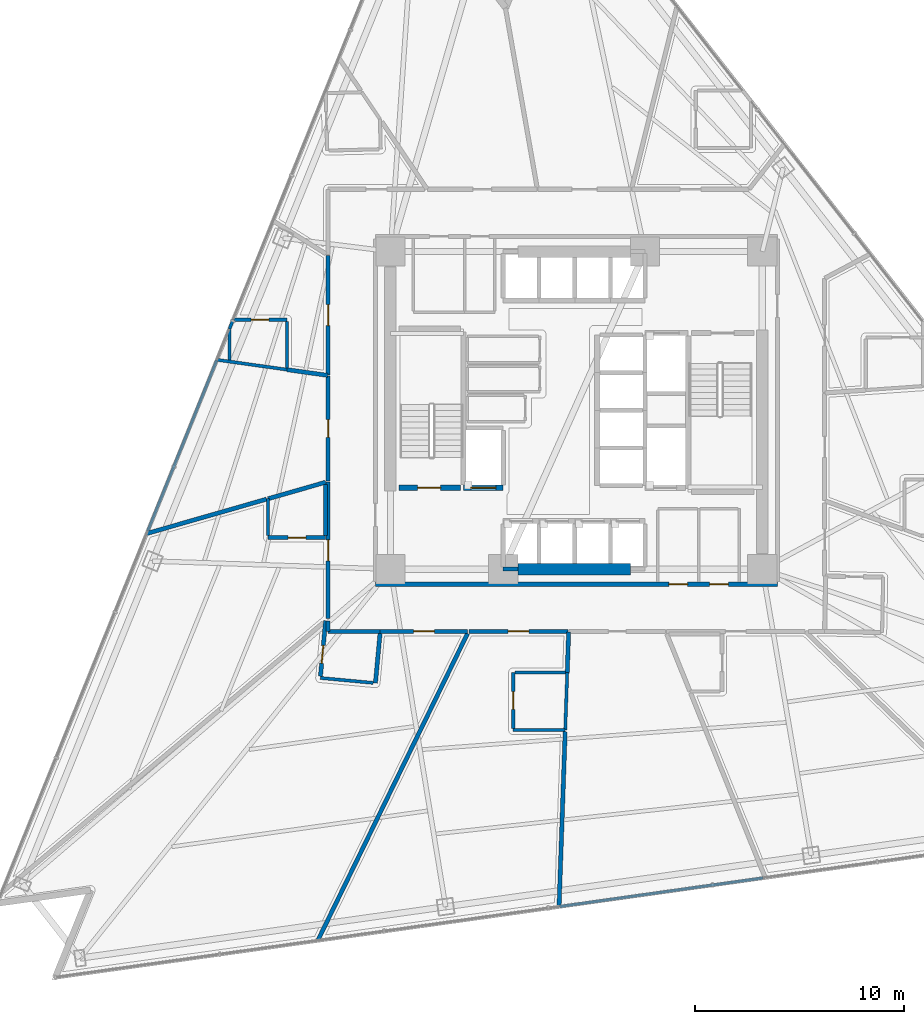
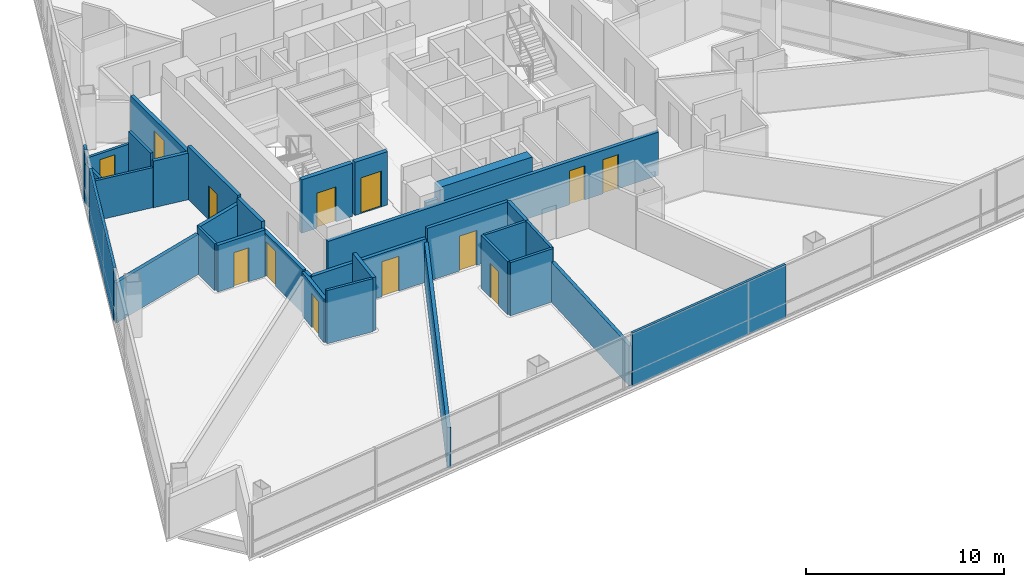
# One storey, part 7 of 16: 35 walls, 13 doors, 13 openings.
"""IFC4 building model written with IfcOpenShell, lengths in metres."""

from ifc_helpers import new_model, si_unit, direction, frame, frame_2d, origin, place, context, subcontext, project, spatial, rectangle, extrude, material, layer, layer_set, type_object, element, fill, save


model = new_model("IFC4")

# Units and contexts
model_context = context("Model", 3, precision=1e-05, world=origin(), true_north=direction((0.0, 1.0)))
body_context = subcontext(model_context, "Body", "Model", "MODEL_VIEW")
ifc_project = project(units=[si_unit("LENGTHUNIT", "METRE"), si_unit("AREAUNIT", "SQUARE_METRE"), si_unit("VOLUMEUNIT", "CUBIC_METRE"), si_unit("PLANEANGLEUNIT", "RADIAN"), si_unit("MASSUNIT", "GRAM", prefix="KILO")], contexts=[model_context])

# Site, building, storey
site_placement = place(None, origin())
site = spatial("IfcSite", under=ifc_project, at=site_placement, CompositionType="ELEMENT")
building_placement = place(site_placement, origin())
building = spatial("IfcBuilding", under=site, at=building_placement, Name="Tharavind Bronze Gate", CompositionType="ELEMENT")
storey_placement = place(building_placement, frame((0.0, 0.0, 70.75)))
storey = spatial("IfcBuildingStorey", under=building, at=storey_placement, Name="L17", CompositionType="ELEMENT", Elevation=70.75)

# Wall, openings, doors
ifc_material_1 = material(Name="Aerated Concrete Block", Category="concrete")
ifc_layer_1 = layer(ifc_material_1, 0.199951171875)
ifc_layer_set_1 = layer_set([ifc_layer_1], Name="Aerated Concrete Block")
wall_type_1 = type_object("IfcWallType", Name="FIRE RATED PARTITION 200", PredefinedType="PARTITIONING", material=ifc_layer_set_1)
wall_1_placement = place(storey_placement, frame((-9.6201171875, -8.320068359375, 0.0), z_axis=(0.0, 0.0, 1.0), x_axis=(1.0, 0.0, 0.0)))
wall_1 = element("IfcWall", 1, at=wall_1_placement, inside=storey, type_object=wall_type_1, Name="L17 south core corridor wall", PredefinedType="PARTITIONING", context=body_context, shape_type="SweptSolid", body=[
    extrude(rectangle(XDim=19.240234375, YDim=0.199951171875, at=frame_2d((9.6201171875, 0.0))), origin(), (0.0, 0.0, 1.0), 2.669921875),
])
opening_1_placement = place(wall_1_placement, frame((14.044921875, 0.0, 0.0)))
opening_1 = element("IfcOpeningElement", 2, at=opening_1_placement, cuts=wall_1, Name="Opening ID07", PredefinedType="OPENING", context=body_context, shape_type="SweptSolid", body=[
    extrude(rectangle(XDim=0.89990234375, YDim=2.10009765625, at=frame_2d((0.449951171875, 1.050048828125))), frame((0.0, 0.11009765625, 0.0), z_axis=(0.0, -1.0, 0.0), x_axis=(1.0, 0.0, 0.0)), (0.0, 0.0, 1.0), 0.219951171875),
])
opening_2_placement = place(wall_1_placement, frame((15.9951171875, 0.0, 0.0)))
opening_2 = element("IfcOpeningElement", 3, at=opening_2_placement, cuts=wall_1, Name="Opening ID07", PredefinedType="OPENING", context=body_context, shape_type="SweptSolid", body=[
    extrude(rectangle(XDim=0.89990234375, YDim=2.10009765625, at=frame_2d((0.449951171875, 1.050048828125))), frame((0.0, 0.11009765625, 0.0), z_axis=(0.0, -1.0, 0.0), x_axis=(1.0, 0.0, 0.0)), (0.0, 0.0, 1.0), 0.219951171875),
])
ifc_material_2 = material(Name="Galvanised Fire Steel", Category="steel")
door_type_1 = type_object("IfcDoorType", Name="PLANT AND RISER FIRE DOOR 900X2100", OperationType="SINGLE_SWING_LEFT", PredefinedType="DOOR", material=ifc_material_2)
door_1_placement = place(opening_1_placement, origin())
door_1 = element("IfcDoor", 4, at=door_1_placement, inside=storey, type_object=door_type_1, Name="L17 Comms Patch Room fire door", OperationType="SINGLE_SWING_LEFT", OverallHeight=2.10009765625, OverallWidth=0.89990234375, PredefinedType="DOOR", context=body_context, shape_type="SweptSolid", body=[
    extrude(rectangle(XDim=0.89990234375, YDim=2.10009765625, at=frame_2d((0.449951171875, 1.050048828125))), frame((0.0, 0.02490234375, 0.0), z_axis=(0.0, -1.0, 0.0), x_axis=(1.0, 0.0, 0.0)), (0.0, 0.0, 1.0), 0.050048828125),
])
fill(opening_1, door_1)
door_2_placement = place(opening_2_placement, origin())
door_2 = element("IfcDoor", 5, at=door_2_placement, inside=storey, type_object=door_type_1, Name="L17 Housekeeping Store fire door", OperationType="SINGLE_SWING_LEFT", OverallHeight=2.10009765625, OverallWidth=0.89990234375, PredefinedType="DOOR", context=body_context, shape_type="SweptSolid", body=[
    extrude(rectangle(XDim=0.89990234375, YDim=2.10009765625, at=frame_2d((0.449951171875, 1.050048828125))), frame((0.0, 0.02490234375, 0.0), z_axis=(0.0, -1.0, 0.0), x_axis=(1.0, 0.0, 0.0)), (0.0, 0.0, 1.0), 0.050048828125),
])
fill(opening_2, door_2)

# Wall, opening, door
wall_2_placement = place(storey_placement, frame((-12.0, -6.0908203125, 0.0), z_axis=(0.0, 0.0, 1.0), x_axis=(-1.0, 0.0, 0.0)))
wall_2 = element("IfcWall", 6, at=wall_2_placement, inside=storey, type_object=wall_type_1, Name="L17 En-Suite Bathroom partition", PredefinedType="PARTITIONING", context=body_context, shape_type="SweptSolid", body=[
    extrude(rectangle(XDim=2.75, YDim=0.199951171875, at=frame_2d((1.375, 0.0))), origin(), (0.0, 0.0, 1.0), 2.8701171875),
])
opening_3_placement = place(wall_2_placement, frame((0.949951171875, 0.0, 0.0)))
opening_3 = element("IfcOpeningElement", 7, at=opening_3_placement, cuts=wall_2, Name="Opening ID06", PredefinedType="OPENING", context=body_context, shape_type="SweptSolid", body=[
    extrude(rectangle(XDim=0.85009765625, YDim=2.10009765625, at=frame_2d((0.425048828125, 1.050048828125))), frame((0.0, 0.11009765625, 0.0), z_axis=(0.0, -1.0, 0.0), x_axis=(1.0, 0.0, 0.0)), (0.0, 0.0, 1.0), 0.219951171875),
])
ifc_material_3 = material(Name="Moisture-Resistant Timber", Category="wood")
door_type_2 = type_object("IfcDoorType", Name="BATHROOM PRIVACY DOOR 850X2100", OperationType="SINGLE_SWING_RIGHT", PredefinedType="DOOR", material=ifc_material_3)
door_3_placement = place(opening_3_placement, origin())
door_3 = element("IfcDoor", 8, at=door_3_placement, inside=storey, type_object=door_type_2, Name="L17 En-Suite Bathroom door", OperationType="SINGLE_SWING_RIGHT", OverallHeight=2.10009765625, OverallWidth=0.85009765625, PredefinedType="DOOR", context=body_context, shape_type="SweptSolid", body=[
    extrude(rectangle(XDim=0.85009765625, YDim=2.10009765625, at=frame_2d((0.425048828125, 1.050048828125))), frame((0.0, 0.02490234375, 0.0), z_axis=(0.0, -1.0, 0.0), x_axis=(1.0, 0.0, 0.0)), (0.0, 0.0, 1.0), 0.050048828125),
])
fill(opening_3, door_3)

# Walls
wall_3_placement = place(storey_placement, frame((-14.75, -4.2294921875, 0.0), z_axis=(0.0, 0.0, 1.0), x_axis=(0.961259435334, 0.275645239358, 0.0)))
element("IfcWall", 9, at=wall_3_placement, inside=storey, type_object=wall_type_1, Name="L17 En-Suite Bathroom partition", PredefinedType="PARTITIONING", context=body_context, shape_type="SweptSolid", body=[
    extrude(rectangle(XDim=2.86083984375, YDim=0.199951171875, at=frame_2d((1.430419921875, 0.0))), origin(), (0.0, 0.0, 1.0), 2.8701171875),
])
wall_4_placement = place(storey_placement, frame((-12.0, -3.550048828125, 0.0), z_axis=(0.0, 0.0, 1.0), x_axis=(0.0, -1.0, 0.0)))
element("IfcWall", 10, at=wall_4_placement, inside=storey, type_object=wall_type_1, Name="L17 En-Suite Bathroom partition", PredefinedType="PARTITIONING", context=body_context, shape_type="SweptSolid", body=[
    extrude(rectangle(XDim=2.435791015625, YDim=0.199951171875, at=frame_2d((1.2177734375, 0.0))), origin(), (0.0, 0.0, 1.0), 3.27490234375),
])
wall_5_placement = place(storey_placement, frame((-11.8798828125, -10.080322265625, 0.0), z_axis=(0.0, 0.0, 1.0), x_axis=(0.0, -1.0, 0.0)))
element("IfcWall", 11, at=wall_5_placement, inside=storey, type_object=wall_type_1, Name="L17 En-Suite Bathroom partition", PredefinedType="PARTITIONING", context=body_context, shape_type="SweptSolid", body=[
    extrude(rectangle(XDim=0.4990234375, YDim=0.199951171875, at=frame_2d((0.24951171875, 0.0))), origin(), (0.0, 0.0, 1.0), 2.669921875),
])
wall_6_placement = place(storey_placement, frame((-11.87939453125, -10.580078125, 0.0), z_axis=(0.0, 0.0, 1.0), x_axis=(1.0, 0.0, 0.0)))
element("IfcWall", 12, at=wall_6_placement, inside=storey, type_object=wall_type_1, Name="L17 En-Suite Bathroom partition", PredefinedType="PARTITIONING", context=body_context, shape_type="SweptSolid", body=[
    extrude(rectangle(XDim=2.493408203125, YDim=0.199951171875, at=frame_2d((1.24658203125, 0.0))), origin(), (0.0, 0.0, 1.0), 2.669921875),
])
wall_7_placement = place(storey_placement, frame((-9.39599609375, -10.68505859375, 0.0), z_axis=(0.0, 0.0, 1.0), x_axis=(-0.092609165651, -0.995702537125, 0.0)))
element("IfcWall", 13, at=wall_7_placement, inside=storey, type_object=wall_type_1, Name="L17 En-Suite Bathroom partition", PredefinedType="PARTITIONING", context=body_context, shape_type="SweptSolid", body=[
    extrude(rectangle(XDim=2.3779296875, YDim=0.199951171875, at=frame_2d((1.18896484375, 0.0))), origin(), (0.0, 0.0, 1.0), 3.27490234375),
])

# Wall, opening, door
wall_8_placement = place(storey_placement, frame((-12.247314453125, -12.727783203125, 0.0), z_axis=(0.0, 0.0, 1.0), x_axis=(0.092621260831, 0.995701412092, 0.0)))
wall_8 = element("IfcWall", 14, at=wall_8_placement, inside=storey, type_object=wall_type_1, Name="L17 En-Suite Bathroom partition", PredefinedType="PARTITIONING", context=body_context, shape_type="SweptSolid", body=[
    extrude(rectangle(XDim=2.670166015625, YDim=0.199951171875, at=frame_2d((1.3349609375, 0.0))), origin(), (0.0, 0.0, 1.0), 2.669921875),
])
opening_4_placement = place(wall_8_placement, frame((0.6298828125, 0.0, 0.0)))
opening_4 = element("IfcOpeningElement", 15, at=opening_4_placement, cuts=wall_8, Name="Opening ID06", PredefinedType="OPENING", context=body_context, shape_type="SweptSolid", body=[
    extrude(rectangle(XDim=0.85009765625, YDim=2.10009765625, at=frame_2d((0.425048828125, 1.050048828125))), frame((0.0, 0.11009765625, 0.0), z_axis=(0.0, -1.0, 0.0), x_axis=(1.0, 0.0, 0.0)), (0.0, 0.0, 1.0), 0.219951171875),
])
door_4_placement = place(opening_4_placement, origin())
door_4 = element("IfcDoor", 16, at=door_4_placement, inside=storey, type_object=door_type_2, Name="L17 En-Suite Bathroom door", OperationType="SINGLE_SWING_RIGHT", OverallHeight=2.10009765625, OverallWidth=0.85009765625, PredefinedType="DOOR", context=body_context, shape_type="SweptSolid", body=[
    extrude(rectangle(XDim=0.85009765625, YDim=2.10009765625, at=frame_2d((0.425048828125, 1.050048828125))), frame((0.0, 0.02490234375, 0.0), z_axis=(0.0, -1.0, 0.0), x_axis=(1.0, 0.0, 0.0)), (0.0, 0.0, 1.0), 0.050048828125),
])
fill(opening_4, door_4)

# Wall
wall_9_placement = place(storey_placement, frame((-13.85009765625, 1.946533203125, 0.0), z_axis=(0.0, 0.0, 1.0), x_axis=(0.990262192263, -0.139214907871, 0.0)))
element("IfcWall", 17, at=wall_9_placement, inside=storey, type_object=wall_type_1, Name="L17 Public Restrooms Block partition", PredefinedType="PARTITIONING", context=body_context, shape_type="SweptSolid", body=[
    extrude(rectangle(XDim=1.967529296875, YDim=0.199951171875, at=frame_2d((0.98388671875, 0.0))), origin(), (0.0, 0.0, 1.0), 2.8701171875),
])

# Wall, opening, door
wall_10_placement = place(storey_placement, frame((-11.8798828125, 1.64794921875, 0.0), z_axis=(0.0, 0.0, 1.0), x_axis=(0.0, -1.0, 0.0)))
wall_10 = element("IfcWall", 18, at=wall_10_placement, inside=storey, type_object=wall_type_1, Name="L17 Public Restrooms Block partition", PredefinedType="PARTITIONING", context=body_context, shape_type="SweptSolid", body=[
    extrude(rectangle(XDim=5.03564453125, YDim=0.199951171875, at=frame_2d((2.517822265625, 0.0))), origin(), (0.0, 0.0, 1.0), 3.27490234375),
])
opening_5_placement = place(wall_10_placement, frame((2.093017578125, 0.0, 0.0)))
opening_5 = element("IfcOpeningElement", 19, at=opening_5_placement, cuts=wall_10, Name="Opening ID06", PredefinedType="OPENING", context=body_context, shape_type="SweptSolid", body=[
    extrude(rectangle(XDim=0.85009765625, YDim=2.10009765625, at=frame_2d((0.425048828125, 1.050048828125))), frame((0.0, 0.11009765625, 0.0), z_axis=(0.0, -1.0, 0.0), x_axis=(1.0, 0.0, 0.0)), (0.0, 0.0, 1.0), 0.219951171875),
])
door_5_placement = place(opening_5_placement, origin())
door_5 = element("IfcDoor", 20, at=door_5_placement, inside=storey, type_object=door_type_2, Name="L17 Public Restrooms Block door", OperationType="SINGLE_SWING_RIGHT", OverallHeight=2.10009765625, OverallWidth=0.85009765625, PredefinedType="DOOR", context=body_context, shape_type="SweptSolid", body=[
    extrude(rectangle(XDim=0.85009765625, YDim=2.10009765625, at=frame_2d((0.425048828125, 1.050048828125))), frame((0.0, 0.02490234375, 0.0), z_axis=(0.0, -1.0, 0.0), x_axis=(1.0, 0.0, 0.0)), (0.0, 0.0, 1.0), 0.050048828125),
])
fill(opening_5, door_5)

# Walls
wall_11_placement = place(storey_placement, frame((-14.830078125, -4.25244140625, 0.0), z_axis=(0.0, 0.0, 1.0), x_axis=(-0.961263721078, -0.275630293216, 0.0)))
element("IfcWall", 21, at=wall_11_placement, inside=storey, type_object=wall_type_1, Name="L17 Public Restrooms Block partition", PredefinedType="PARTITIONING", context=body_context, shape_type="SweptSolid", body=[
    extrude(rectangle(XDim=5.95751953125, YDim=0.199951171875, at=frame_2d((2.978759765625, 0.0))), origin(), (0.0, 0.0, 1.0), 2.469970703125),
])
wall_12_placement = place(storey_placement, frame((-0.828369140625, -23.72021484375, 0.0), z_axis=(0.0, 0.0, 1.0), x_axis=(0.034900568233, 0.9993907896, 0.0)))
element("IfcWall", 22, at=wall_12_placement, inside=storey, type_object=wall_type_1, Name="L17 Public Restrooms Block partition", PredefinedType="PARTITIONING", context=body_context, shape_type="SweptSolid", body=[
    extrude(rectangle(XDim=8.345458984375, YDim=0.199951171875, at=frame_2d((4.1728515625, 0.0))), origin(), (0.0, 0.0, 1.0), 2.469970703125),
])
wall_13_placement = place(storey_placement, frame((-0.438232421875, -12.550048828125, 0.0), z_axis=(0.0, 0.0, 1.0), x_axis=(0.034855235143, 0.999392371685, 0.0)))
element("IfcWall", 23, at=wall_13_placement, inside=storey, type_object=wall_type_1, Name="L17 Public Restrooms Block partition", PredefinedType="PARTITIONING", context=body_context, shape_type="SweptSolid", body=[
    extrude(rectangle(XDim=1.947265625, YDim=0.199951171875, at=frame_2d((0.9736328125, 0.0))), origin(), (0.0, 0.0, 1.0), 3.27490234375),
])

# Wall, opening, door
wall_14_placement = place(storey_placement, frame((-11.8798828125, 7.40966796875, 0.0), z_axis=(0.0, 0.0, 1.0), x_axis=(0.0, -1.0, 0.0)))
wall_14 = element("IfcWall", 24, at=wall_14_placement, inside=storey, type_object=wall_type_1, Name="L17 Hotel Deluxe Room partition", PredefinedType="PARTITIONING", context=body_context, shape_type="SweptSolid", body=[
    extrude(rectangle(XDim=5.711181640625, YDim=0.199951171875, at=frame_2d((2.85546875, 0.0))), origin(), (0.0, 0.0, 1.0), 2.8701171875),
])
opening_6_placement = place(wall_14_placement, frame((2.35595703125, 0.0, 0.0)))
opening_6 = element("IfcOpeningElement", 25, at=opening_6_placement, cuts=wall_14, Name="Opening ID03", PredefinedType="OPENING", context=body_context, shape_type="SweptSolid", body=[
    extrude(rectangle(XDim=1.0, YDim=2.14990234375, at=frame_2d((0.5, 1.074951171875))), frame((0.0, 0.11009765625, 0.0), z_axis=(0.0, -1.0, 0.0), x_axis=(1.0, 0.0, 0.0)), (0.0, 0.0, 1.0), 0.219951171875),
])
ifc_material_4 = material(Name="Solid Timber Veneer", Category="wood")
door_type_3 = type_object("IfcDoorType", Name="HOTEL SUITE ENTRANCE DOOR 1000X2150", OperationType="SINGLE_SWING_LEFT", PredefinedType="DOOR", material=ifc_material_4)
door_6_placement = place(opening_6_placement, origin())
door_6 = element("IfcDoor", 26, at=door_6_placement, inside=storey, type_object=door_type_3, Name="L17 Hotel Deluxe Room door", OperationType="SINGLE_SWING_LEFT", OverallHeight=2.14990234375, OverallWidth=1.0, PredefinedType="DOOR", context=body_context, shape_type="SweptSolid", body=[
    extrude(rectangle(XDim=1.0, YDim=2.14990234375, at=frame_2d((0.5, 1.074951171875))), frame((0.0, 0.02490234375, 0.0), z_axis=(0.0, -1.0, 0.0), x_axis=(1.0, 0.0, 0.0)), (0.0, 0.0, 1.0), 0.050048828125),
])
fill(opening_6, door_6)

wall_15_placement = place(storey_placement, frame((-11.8798828125, -3.439697265625, 0.0), z_axis=(0.0, 0.0, 1.0), x_axis=(0.0, -1.0, 0.0)))
wall_15 = element("IfcWall", 27, at=wall_15_placement, inside=storey, type_object=wall_type_1, Name="L17 Deluxe Hotel Suite partition", PredefinedType="PARTITIONING", context=body_context, shape_type="SweptSolid", body=[
    extrude(rectangle(XDim=6.51708984375, YDim=0.199951171875, at=frame_2d((3.258544921875, 0.0))), origin(), (0.0, 0.0, 1.0), 2.669921875),
])
opening_7_placement = place(wall_15_placement, frame((2.759033203125, 0.0, 0.0)))
opening_7 = element("IfcOpeningElement", 28, at=opening_7_placement, cuts=wall_15, Name="Opening ID03", PredefinedType="OPENING", context=body_context, shape_type="SweptSolid", body=[
    extrude(rectangle(XDim=1.0, YDim=2.14990234375, at=frame_2d((0.5, 1.074951171875))), frame((0.0, 0.11009765625, 0.0), z_axis=(0.0, -1.0, 0.0), x_axis=(1.0, 0.0, 0.0)), (0.0, 0.0, 1.0), 0.219951171875),
])
door_7_placement = place(opening_7_placement, origin())
door_7 = element("IfcDoor", 29, at=door_7_placement, inside=storey, type_object=door_type_3, Name="L17 Deluxe Hotel Suite door", OperationType="SINGLE_SWING_LEFT", OverallHeight=2.14990234375, OverallWidth=1.0, PredefinedType="DOOR", context=body_context, shape_type="SweptSolid", body=[
    extrude(rectangle(XDim=1.0, YDim=2.14990234375, at=frame_2d((0.5, 1.074951171875))), frame((0.0, 0.02490234375, 0.0), z_axis=(0.0, -1.0, 0.0), x_axis=(1.0, 0.0, 0.0)), (0.0, 0.0, 1.0), 0.050048828125),
])
fill(opening_7, door_7)

wall_16_placement = place(storey_placement, frame((-9.385986328125, -10.580078125, 0.0), z_axis=(0.0, 0.0, 1.0), x_axis=(1.0, 0.0, 0.0)))
wall_16 = element("IfcWall", 30, at=wall_16_placement, inside=storey, type_object=wall_type_1, Name="L17 Deluxe Hotel Suite partition", PredefinedType="PARTITIONING", context=body_context, shape_type="SweptSolid", body=[
    extrude(rectangle(XDim=4.185791015625, YDim=0.199951171875, at=frame_2d((2.0927734375, 0.0))), origin(), (0.0, 0.0, 1.0), 2.669921875),
])
opening_8_placement = place(wall_16_placement, frame((1.593017578125, 0.0, 0.0)))
opening_8 = element("IfcOpeningElement", 31, at=opening_8_placement, cuts=wall_16, Name="Opening ID03", PredefinedType="OPENING", context=body_context, shape_type="SweptSolid", body=[
    extrude(rectangle(XDim=1.0, YDim=2.14990234375, at=frame_2d((0.5, 1.074951171875))), frame((0.0, 0.11009765625, 0.0), z_axis=(0.0, -1.0, 0.0), x_axis=(1.0, 0.0, 0.0)), (0.0, 0.0, 1.0), 0.219951171875),
])
door_8_placement = place(opening_8_placement, origin())
door_8 = element("IfcDoor", 32, at=door_8_placement, inside=storey, type_object=door_type_3, Name="L17 Deluxe Hotel Suite door", OperationType="SINGLE_SWING_LEFT", OverallHeight=2.14990234375, OverallWidth=1.0, PredefinedType="DOOR", context=body_context, shape_type="SweptSolid", body=[
    extrude(rectangle(XDim=1.0, YDim=2.14990234375, at=frame_2d((0.5, 1.074951171875))), frame((0.0, 0.02490234375, 0.0), z_axis=(0.0, -1.0, 0.0), x_axis=(1.0, 0.0, 0.0)), (0.0, 0.0, 1.0), 0.050048828125),
])
fill(opening_8, door_8)

# Wall
wall_17_placement = place(storey_placement, frame((-5.21142578125, -10.68505859375, 0.0), z_axis=(0.0, 0.0, 1.0), x_axis=(-0.438370015827, -0.898794597905, 0.0)))
element("IfcWall", 33, at=wall_17_placement, inside=storey, type_object=wall_type_1, Name="L17 Deluxe Hotel Suite partition", PredefinedType="PARTITIONING", context=body_context, shape_type="SweptSolid", body=[
    extrude(rectangle(XDim=16.328125, YDim=0.199951171875, at=frame_2d((8.1640625, 0.0))), origin(), (0.0, 0.0, 1.0), 2.469970703125),
])

# Wall, opening, door
wall_18_placement = place(storey_placement, frame((-5.14453125, -10.580078125, 0.0), z_axis=(0.0, 0.0, 1.0), x_axis=(1.0, 0.0, 0.0)))
wall_18 = element("IfcWall", 34, at=wall_18_placement, inside=storey, type_object=wall_type_1, Name="L17 Deluxe Hotel Suite partition", PredefinedType="PARTITIONING", context=body_context, shape_type="SweptSolid", body=[
    extrude(rectangle(XDim=4.749267578125, YDim=0.199951171875, at=frame_2d((2.37451171875, 0.0))), origin(), (0.0, 0.0, 1.0), 3.27490234375),
])
opening_9_placement = place(wall_18_placement, frame((1.875, 0.0, 0.0)))
opening_9 = element("IfcOpeningElement", 35, at=opening_9_placement, cuts=wall_18, Name="Opening ID03", PredefinedType="OPENING", context=body_context, shape_type="SweptSolid", body=[
    extrude(rectangle(XDim=1.0, YDim=2.14990234375, at=frame_2d((0.5, 1.074951171875))), frame((0.0, 0.11009765625, 0.0), z_axis=(0.0, -1.0, 0.0), x_axis=(1.0, 0.0, 0.0)), (0.0, 0.0, 1.0), 0.219951171875),
])
door_9_placement = place(opening_9_placement, origin())
door_9 = element("IfcDoor", 36, at=door_9_placement, inside=storey, type_object=door_type_3, Name="L17 Deluxe Hotel Suite door", OperationType="SINGLE_SWING_LEFT", OverallHeight=2.14990234375, OverallWidth=1.0, PredefinedType="DOOR", context=body_context, shape_type="SweptSolid", body=[
    extrude(rectangle(XDim=1.0, YDim=2.14990234375, at=frame_2d((0.5, 1.074951171875))), frame((0.0, 0.02490234375, 0.0), z_axis=(0.0, -1.0, 0.0), x_axis=(1.0, 0.0, 0.0)), (0.0, 0.0, 1.0), 0.050048828125),
])
fill(opening_9, door_9)

# Walls
ifc_material_5 = material(Name="Twin Stud Acoustic Gypsum", Category="gypsum")
ifc_layer_2 = layer(ifc_material_5, 0.14990234375)
ifc_layer_set_2 = layer_set([ifc_layer_2], Name="Twin Stud Acoustic Gypsum")
wall_type_2 = type_object("IfcWallType", Name="INTERIOR PARTITION WALL 150", PredefinedType="PARTITIONING", material=ifc_layer_set_2)
wall_19_placement = place(storey_placement, frame((-13.85009765625, 1.946533203125, 0.0), z_axis=(0.0, 0.0, 1.0), x_axis=(-0.99026466636, 0.139197308016, 0.0)))
element("IfcWall", 37, at=wall_19_placement, inside=storey, type_object=wall_type_2, Name="L17 En-Suite Bathroom partition", PredefinedType="PARTITIONING", context=body_context, shape_type="SweptSolid", body=[
    extrude(rectangle(XDim=3.381591796875, YDim=0.14990234375, at=frame_2d((1.69091796875, 0.0))), origin(), (0.0, 0.0, 1.0), 2.469970703125),
])
wall_20_placement = place(storey_placement, frame((-16.60009765625, 2.413818359375, 0.0), z_axis=(0.0, 0.0, 1.0), x_axis=(0.0, 1.0, 0.0)))
element("IfcWall", 38, at=wall_20_placement, inside=storey, type_object=wall_type_2, Name="L17 En-Suite Bathroom partition", PredefinedType="PARTITIONING", context=body_context, shape_type="SweptSolid", body=[
    extrude(rectangle(XDim=1.4853515625, YDim=0.14990234375, at=frame_2d((0.74267578125, 0.0))), origin(), (0.0, 0.0, 1.0), 2.469970703125),
])
wall_21_placement = place(storey_placement, frame((-16.60009765625, 3.899169921875, 0.0), z_axis=(0.0, 0.0, 1.0), x_axis=(0.374779708699, 0.927113892652, 0.0)))
element("IfcWall", 39, at=wall_21_placement, inside=storey, type_object=wall_type_2, Name="L17 En-Suite Bathroom partition", PredefinedType="PARTITIONING", context=body_context, shape_type="SweptSolid", body=[
    extrude(rectangle(XDim=0.4716796875, YDim=0.14990234375, at=frame_2d((0.23583984375, 0.0))), origin(), (0.0, 0.0, 1.0), 3.27490234375),
])

# Wall, opening, door
wall_22_placement = place(storey_placement, frame((-16.42333984375, 4.33642578125, 0.0), z_axis=(0.0, 0.0, 1.0), x_axis=(1.0, 0.0, 0.0)))
wall_22 = element("IfcWall", 40, at=wall_22_placement, inside=storey, type_object=wall_type_2, Name="L17 En-Suite Bathroom partition", PredefinedType="PARTITIONING", context=body_context, shape_type="SweptSolid", body=[
    extrude(rectangle(XDim=2.5732421875, YDim=0.14990234375, at=frame_2d((1.28662109375, 0.0))), origin(), (0.0, 0.0, 1.0), 2.469970703125),
])
opening_10_placement = place(wall_22_placement, frame((0.862060546875, 0.0, 0.0)))
opening_10 = element("IfcOpeningElement", 41, at=opening_10_placement, cuts=wall_22, Name="Opening ID06", PredefinedType="OPENING", context=body_context, shape_type="SweptSolid", body=[
    extrude(rectangle(XDim=0.85009765625, YDim=2.10009765625, at=frame_2d((0.425048828125, 1.050048828125))), frame((0.0, 0.084951171875, 0.0), z_axis=(0.0, -1.0, 0.0), x_axis=(1.0, 0.0, 0.0)), (0.0, 0.0, 1.0), 0.16990234375),
])
door_10_placement = place(opening_10_placement, origin())
door_10 = element("IfcDoor", 42, at=door_10_placement, inside=storey, type_object=door_type_2, Name="L17 En-Suite Bathroom door", OperationType="SINGLE_SWING_RIGHT", OverallHeight=2.10009765625, OverallWidth=0.85009765625, PredefinedType="DOOR", context=body_context, shape_type="SweptSolid", body=[
    extrude(rectangle(XDim=0.85009765625, YDim=2.10009765625, at=frame_2d((0.425048828125, 1.050048828125))), frame((0.0, 0.02490234375, 0.0), z_axis=(0.0, -1.0, 0.0), x_axis=(1.0, 0.0, 0.0)), (0.0, 0.0, 1.0), 0.050048828125),
])
fill(opening_10, door_10)

# Walls
wall_23_placement = place(storey_placement, frame((-13.85009765625, 4.256591796875, 0.0), z_axis=(0.0, 0.0, 1.0), x_axis=(0.0, -1.0, 0.0)))
element("IfcWall", 43, at=wall_23_placement, inside=storey, type_object=wall_type_2, Name="L17 En-Suite Bathroom partition", PredefinedType="PARTITIONING", context=body_context, shape_type="SweptSolid", body=[
    extrude(rectangle(XDim=2.229248046875, YDim=0.14990234375, at=frame_2d((1.11474609375, 0.0))), origin(), (0.0, 0.0, 1.0), 3.27490234375),
])
wall_24_placement = place(storey_placement, frame((-14.75, -5.98583984375, 0.0), z_axis=(0.0, 0.0, 1.0), x_axis=(0.0, 1.0, 0.0)))
element("IfcWall", 44, at=wall_24_placement, inside=storey, type_object=wall_type_2, Name="L17 En-Suite Bathroom partition", PredefinedType="PARTITIONING", context=body_context, shape_type="SweptSolid", body=[
    extrude(rectangle(XDim=1.75634765625, YDim=0.14990234375, at=frame_2d((0.878173828125, 0.0))), origin(), (0.0, 0.0, 1.0), 2.8701171875),
])
wall_25_placement = place(storey_placement, frame((-9.720703125, -13.043212890625, 0.0), z_axis=(0.0, 0.0, 1.0), x_axis=(-0.995696688169, 0.092672030135, 0.0)))
element("IfcWall", 45, at=wall_25_placement, inside=storey, type_object=wall_type_2, Name="L17 En-Suite Bathroom partition", PredefinedType="PARTITIONING", context=body_context, shape_type="SweptSolid", body=[
    extrude(rectangle(XDim=2.544921875, YDim=0.14990234375, at=frame_2d((1.2724609375, 0.0))), origin(), (0.0, 0.0, 1.0), 3.27490234375),
])
wall_26_placement = place(storey_placement, frame((-0.438232421875, -12.550048828125, 0.0), z_axis=(0.0, 0.0, 1.0), x_axis=(-0.034868698287, -0.999391902048, 0.0)))
element("IfcWall", 46, at=wall_26_placement, inside=storey, type_object=wall_type_2, Name="L17 En-Suite Bathroom partition", PredefinedType="PARTITIONING", context=body_context, shape_type="SweptSolid", body=[
    extrude(rectangle(XDim=2.751708984375, YDim=0.14990234375, at=frame_2d((1.3759765625, 0.0))), origin(), (0.0, 0.0, 1.0), 3.27490234375),
])
wall_27_placement = place(storey_placement, frame((-0.5341796875, -15.300048828125, 0.0), z_axis=(0.0, 0.0, 1.0), x_axis=(-1.0, 0.0, 0.0)))
element("IfcWall", 47, at=wall_27_placement, inside=storey, type_object=wall_type_2, Name="L17 En-Suite Bathroom partition", PredefinedType="PARTITIONING", context=body_context, shape_type="SweptSolid", body=[
    extrude(rectangle(XDim=2.489501953125, YDim=0.14990234375, at=frame_2d((1.24462890625, 0.0))), origin(), (0.0, 0.0, 1.0), 3.27490234375),
])

# Wall, opening, door
wall_28_placement = place(storey_placement, frame((-3.023681640625, -15.219970703125, 0.0), z_axis=(0.0, 0.0, 1.0), x_axis=(0.0, 1.0, 0.0)))
wall_28 = element("IfcWall", 48, at=wall_28_placement, inside=storey, type_object=wall_type_2, Name="L17 En-Suite Bathroom partition", PredefinedType="PARTITIONING", context=body_context, shape_type="SweptSolid", body=[
    extrude(rectangle(XDim=2.669921875, YDim=0.14990234375, at=frame_2d((1.3349609375, 0.0))), origin(), (0.0, 0.0, 1.0), 3.27490234375),
])
opening_11_placement = place(wall_28_placement, frame((0.909912109375, 0.0, 0.0)))
opening_11 = element("IfcOpeningElement", 49, at=opening_11_placement, cuts=wall_28, Name="Opening ID06", PredefinedType="OPENING", context=body_context, shape_type="SweptSolid", body=[
    extrude(rectangle(XDim=0.85009765625, YDim=2.10009765625, at=frame_2d((0.425048828125, 1.050048828125))), frame((0.0, 0.084951171875, 0.0), z_axis=(0.0, -1.0, 0.0), x_axis=(1.0, 0.0, 0.0)), (0.0, 0.0, 1.0), 0.16990234375),
])
door_11_placement = place(opening_11_placement, origin())
door_11 = element("IfcDoor", 50, at=door_11_placement, inside=storey, type_object=door_type_2, Name="L17 En-Suite Bathroom door", OperationType="SINGLE_SWING_RIGHT", OverallHeight=2.10009765625, OverallWidth=0.85009765625, PredefinedType="DOOR", context=body_context, shape_type="SweptSolid", body=[
    extrude(rectangle(XDim=0.85009765625, YDim=2.10009765625, at=frame_2d((0.425048828125, 1.050048828125))), frame((0.0, 0.02490234375, 0.0), z_axis=(0.0, -1.0, 0.0), x_axis=(1.0, 0.0, 0.0)), (0.0, 0.0, 1.0), 0.050048828125),
])
fill(opening_11, door_11)

# Walls
wall_29_placement = place(storey_placement, frame((-2.943603515625, -12.550048828125, 0.0), z_axis=(0.0, 0.0, 1.0), x_axis=(1.0, 0.0, 0.0)))
element("IfcWall", 51, at=wall_29_placement, inside=storey, type_object=wall_type_2, Name="L17 En-Suite Bathroom partition", PredefinedType="PARTITIONING", context=body_context, shape_type="SweptSolid", body=[
    extrude(rectangle(XDim=2.42529296875, YDim=0.14990234375, at=frame_2d((1.212646484375, 0.0))), origin(), (0.0, 0.0, 1.0), 3.27490234375),
])
wall_30_placement = place(storey_placement, frame((-20.507080078125, -5.77099609375, 0.0), z_axis=(0.0, 0.0, 1.0), x_axis=(0.374622465586, 0.927177441636, 0.0)))
element("IfcWall", 52, at=wall_30_placement, inside=storey, type_object=wall_type_2, Name="L17 Public Restrooms Block partition", PredefinedType="PARTITIONING", context=body_context, shape_type="SweptSolid", body=[
    extrude(rectangle(XDim=8.8115234375, YDim=0.14990234375, at=frame_2d((4.40576171875, 0.0))), origin(), (0.0, 0.0, 1.0), 3.27490234375),
])
wall_31_placement = place(storey_placement, frame((8.92822265625, -22.37841796875, 0.0), z_axis=(0.0, 0.0, 1.0), x_axis=(-0.990268034831, -0.139173342244, 0.0)))
element("IfcWall", 53, at=wall_31_placement, inside=storey, type_object=wall_type_2, Name="L17 Public Restrooms Block partition", PredefinedType="PARTITIONING", context=body_context, shape_type="SweptSolid", body=[
    extrude(rectangle(XDim=9.82373046875, YDim=0.14990234375, at=frame_2d((4.911865234375, 0.0))), origin(), (0.0, 0.0, 1.0), 3.27490234375),
])

# Wall, opening, door
ifc_material_6 = material(Name="Concrete C50/60", Category="concrete")
ifc_layer_3 = layer(ifc_material_6, 0.25)
ifc_layer_set_3 = layer_set([ifc_layer_3], Name="Concrete C50/60")
wall_type_3 = type_object("IfcWallType", Name="RC CORE SHEAR WALL 250", PredefinedType="SHEAR", material=ifc_layer_set_3)
wall_32_placement = place(storey_placement, frame((-8.5, -3.699951171875, 0.0), z_axis=(0.0, 0.0, 1.0), x_axis=(1.0, 0.0, 0.0)))
wall_32 = element("IfcWall", 54, at=wall_32_placement, inside=storey, type_object=wall_type_3, Name="L17 ST1 shaft south wall", PredefinedType="SHEAR", context=body_context, shape_type="SweptSolid", body=[
    extrude(rectangle(XDim=2.949951171875, YDim=0.25, at=frame_2d((1.47509765625, 0.0))), origin(), (0.0, 0.0, 1.0), 3.27490234375),
])
opening_12_placement = place(wall_32_placement, frame((0.89990234375, 0.0, 0.0)))
opening_12 = element("IfcOpeningElement", 55, at=opening_12_placement, cuts=wall_32, Name="Opening ID01", PredefinedType="OPENING", context=body_context, shape_type="SweptSolid", body=[
    extrude(rectangle(XDim=1.10009765625, YDim=2.14990234375, at=frame_2d((0.550048828125, 1.074951171875))), frame((0.0, 0.135, 0.0), z_axis=(0.0, -1.0, 0.0), x_axis=(1.0, 0.0, 0.0)), (0.0, 0.0, 1.0), 0.27),
])
ifc_material_7 = material(Name="Fire-Rated Steel", Category="steel")
door_type_4 = type_object("IfcDoorType", Name="STAIR CORE FIRE DOOR 1100X2150", OperationType="SINGLE_SWING_LEFT", PredefinedType="DOOR", material=ifc_material_7)
door_12_placement = place(opening_12_placement, origin())
door_12 = element("IfcDoor", 56, at=door_12_placement, inside=storey, type_object=door_type_4, Name="L17 exit stair ST1 fire door", OperationType="SINGLE_SWING_LEFT", OverallHeight=2.14990234375, OverallWidth=1.10009765625, PredefinedType="DOOR", context=body_context, shape_type="SweptSolid", body=[
    extrude(rectangle(XDim=1.10009765625, YDim=2.14990234375, at=frame_2d((0.550048828125, 1.074951171875))), frame((0.0, 0.02490234375, 0.0), z_axis=(0.0, -1.0, 0.0), x_axis=(1.0, 0.0, 0.0)), (0.0, 0.0, 1.0), 0.050048828125),
])
fill(opening_12, door_12)

wall_33_placement = place(storey_placement, frame((-5.39990234375, -3.699951171875, 0.0), z_axis=(0.0, 0.0, 1.0), x_axis=(1.0, 0.0, 0.0)))
wall_33 = element("IfcWall", 57, at=wall_33_placement, inside=storey, type_object=wall_type_3, Name="L17 lift FFL1 shaft front wall", PredefinedType="SHEAR", context=body_context, shape_type="SweptSolid", body=[
    extrude(rectangle(XDim=1.89990234375, YDim=0.25, at=frame_2d((0.949951171875, 0.0))), origin(), (0.0, 0.0, 1.0), 3.27490234375),
])
opening_13_placement = place(wall_33_placement, frame((0.35009765625, 0.0, 0.0)))
opening_13 = element("IfcOpeningElement", 58, at=opening_13_placement, cuts=wall_33, Name="Opening LD02", PredefinedType="OPENING", context=body_context, shape_type="SweptSolid", body=[
    extrude(rectangle(XDim=1.199951171875, YDim=2.199951171875, at=frame_2d((0.60009765625, 1.10009765625))), frame((0.0, 0.135, 0.0), z_axis=(0.0, -1.0, 0.0), x_axis=(1.0, 0.0, 0.0)), (0.0, 0.0, 1.0), 0.27),
])
ifc_material_8 = material(Name="Brushed Stainless Steel", Category="steel")
door_type_5 = type_object("IfcDoorType", Name="FIREFIGHTING LIFT LANDING DOOR 1200X2200", OperationType="SLIDING_TO_RIGHT", PredefinedType="DOOR", material=ifc_material_8)
door_13_placement = place(opening_13_placement, origin())
door_13 = element("IfcDoor", 59, at=door_13_placement, inside=storey, type_object=door_type_5, Name="L17 lift FFL1 sliding landing door", OperationType="SLIDING_TO_RIGHT", OverallHeight=2.199951171875, OverallWidth=1.199951171875, PredefinedType="DOOR", context=body_context, shape_type="SweptSolid", body=[
    extrude(rectangle(XDim=1.199951171875, YDim=2.199951171875, at=frame_2d((0.60009765625, 1.10009765625))), frame((0.0, 0.02490234375, 0.0), z_axis=(0.0, -1.0, 0.0), x_axis=(1.0, 0.0, 0.0)), (0.0, 0.0, 1.0), 0.050048828125),
])
fill(opening_13, door_13)

# Walls
ifc_material_9 = material(Name="Concrete C60/75", Category="concrete")
ifc_layer_4 = layer(ifc_material_9, 0.550048828125)
ifc_layer_set_4 = layer_set([ifc_layer_4], Name="Concrete C60/75")
wall_type_4 = type_object("IfcWallType", Name="RC CORE SHEAR WALL 550", PredefinedType="SHEAR", material=ifc_layer_set_4)
wall_34_placement = place(storey_placement, frame((-2.800048828125, -7.60009765625, 0.0), z_axis=(0.0, 0.0, 1.0), x_axis=(1.0, 0.0, 0.0)))
element("IfcWall", 60, at=wall_34_placement, inside=storey, type_object=wall_type_4, Name="L17 south core shear wall", PredefinedType="SHEAR", context=body_context, shape_type="SweptSolid", body=[
    extrude(rectangle(XDim=5.380126953125, YDim=0.550048828125, at=frame_2d((2.68994140625, 0.0))), origin(), (0.0, 0.0, 1.0), 3.27490234375),
])
ifc_material_10 = material(Name="Concrete C40/50", Category="concrete")
ifc_layer_5 = layer(ifc_material_10, 0.199951171875)
ifc_layer_set_5 = layer_set([ifc_layer_5], Name="Concrete C40/50")
wall_type_5 = type_object("IfcWallType", Name="SHAFT ENCLOSURE WALL 200", PredefinedType="PARTITIONING", material=ifc_layer_set_5)
wall_35_placement = place(storey_placement, frame((-3.5, -7.60009765625, 0.0), z_axis=(0.0, 0.0, 1.0), x_axis=(1.0, 0.0, 0.0)))
element("IfcWall", 61, at=wall_35_placement, inside=storey, type_object=wall_type_5, Name="L17 lift PL1 shaft S enclosure wall", PredefinedType="PARTITIONING", context=body_context, shape_type="SweptSolid", body=[
    extrude(rectangle(XDim=0.699951171875, YDim=0.199951171875, at=frame_2d((0.35009765625, 0.0))), origin(), (0.0, 0.0, 1.0), 2.469970703125),
])

save(model, "model.ifc")
